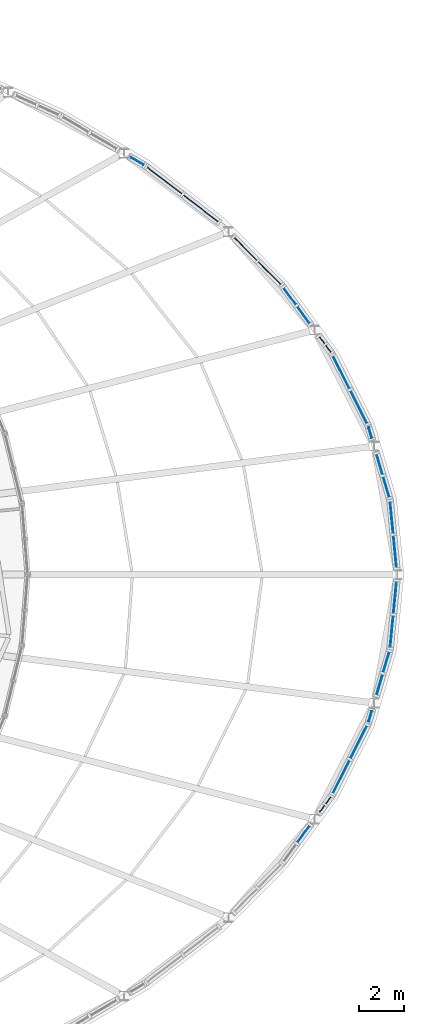
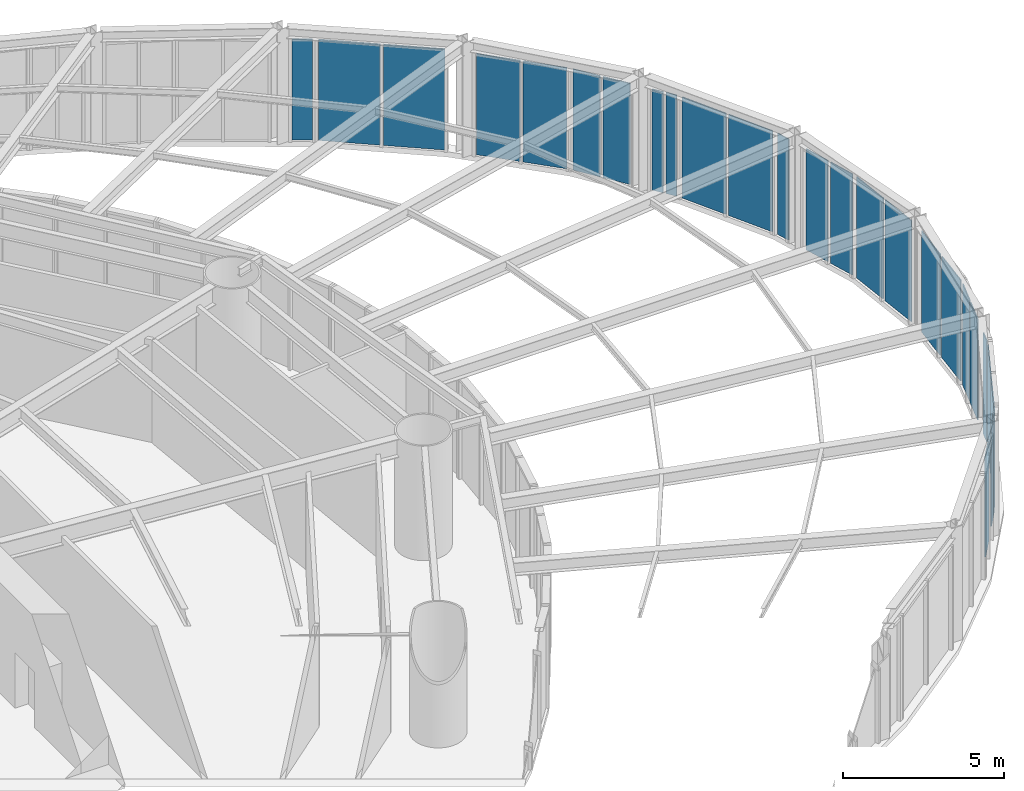
# One storey, part 17 of 23: 26 plates, 15 elements without a shape of their own.
"""IFC4 building model written with IfcOpenShell, lengths in metres."""

from ifc_helpers import new_model, si_unit, direction, frame, origin, origin_2d, place, context, subcontext, project, spatial, rectangle, extrude, material, layer, layer_set, type_object, element, aggregate, save


model = new_model("IFC4")

# Units and contexts
model_context = context("Model", 3, precision=1e-05, world=origin(), true_north=direction((0.0, 1.0)))
body_context = subcontext(model_context, "Body", "Model", "MODEL_VIEW")
ifc_project = project(units=[si_unit("LENGTHUNIT", "METRE"), si_unit("AREAUNIT", "SQUARE_METRE"), si_unit("VOLUMEUNIT", "CUBIC_METRE"), si_unit("PLANEANGLEUNIT", "RADIAN"), si_unit("MASSUNIT", "GRAM", prefix="KILO")], contexts=[model_context])

# Site, building, storey
site_placement = place(None, origin())
site = spatial("IfcSite", under=ifc_project, at=site_placement, CompositionType="ELEMENT")
building_placement = place(site_placement, origin())
building = spatial("IfcBuilding", under=site, at=building_placement, Name="Vermilion Reach Broadcast Tower", CompositionType="ELEMENT")
storey_placement = place(building_placement, frame((0.0, 0.0, 31.5)))
storey = spatial("IfcBuildingStorey", under=building, at=storey_placement, Name="L04", CompositionType="ELEMENT", Elevation=31.5)

# Curtain wall, plate
ifc_material_1 = material(Name="Low-e laminated clear glass in aluminium frame", Category="aluminium")
curtain_wall_type = type_object("IfcCurtainWallType", Name="Atrium outer wall curtain wall", PredefinedType="NOTDEFINED", material=ifc_material_1)
placement = place(storey_placement, origin())
curtain_wall_1 = element("IfcCurtainWall", 1, at=placement, inside=storey, type_object=curtain_wall_type, Name="Atrium wall L04 08-1", PredefinedType="NOTDEFINED")
ifc_material_2 = material(Name="Low-e laminated clear glass", Category="glass")
ifc_layer = layer(ifc_material_2, 0.035888671875)
ifc_layer_set = layer_set([ifc_layer], Name="Atrium outer wall glass panel")
plate_type = type_object("IfcPlateType", Name="Atrium outer wall glass panel", PredefinedType="CURTAIN_PANEL", material=ifc_layer_set)
plate_1_placement = place(storey_placement, frame((35.539794921875, -11.52294921875, 0.0), z_axis=(0.0, 0.0, 1.0), x_axis=(0.590759824697, 0.806847463604, 0.0)))
plate_1 = element("IfcPlate", 2, at=plate_1_placement, type_object=plate_type, Name="Atrium wall glass panel L04 08-1.2.1", PredefinedType="CURTAIN_PANEL", context=body_context, shape_type="SweptSolid", body=[
    extrude(rectangle(XDim=0.92578125, YDim=0.035888671875, at=origin_2d()), origin(), (0.0, 0.0, 1.0), 3.840087890625),
])
aggregate(curtain_wall_1, [plate_1])

# Curtain wall, plates
curtain_wall_2 = element("IfcCurtainWall", 3, at=placement, inside=storey, type_object=curtain_wall_type, Name="Atrium wall L04 08-2", PredefinedType="NOTDEFINED")
plate_2_placement = place(storey_placement, frame((36.36328125, -10.39794921875, 0.0), z_axis=(0.0, 0.0, 1.0), x_axis=(0.590759824697, 0.806847463604, 0.0)))
plate_2 = element("IfcPlate", 4, at=plate_2_placement, type_object=plate_type, Name="Atrium wall glass panel L04 08-2.1.1", PredefinedType="CURTAIN_PANEL", context=body_context, shape_type="SweptSolid", body=[
    extrude(rectangle(XDim=0.36669921875, YDim=0.035888671875, at=origin_2d()), origin(), (0.0, 0.0, 1.0), 3.840087890625),
])
plate_3_placement = place(storey_placement, frame((36.63916015625, -10.021240234375, 0.0), z_axis=(0.0, 0.0, 1.0), x_axis=(0.590759824697, 0.806847463604, 0.0)))
plate_3 = element("IfcPlate", 5, at=plate_3_placement, type_object=plate_type, Name="Atrium wall glass panel L04 08-2.2.1", PredefinedType="CURTAIN_PANEL", context=body_context, shape_type="SweptSolid", body=[
    extrude(rectangle(XDim=0.36669921875, YDim=0.035888671875, at=origin_2d()), origin(), (0.0, 0.0, 1.0), 3.840087890625),
])
aggregate(curtain_wall_2, [plate_2, plate_3])

curtain_wall_3 = element("IfcCurtainWall", 6, at=placement, inside=storey, type_object=curtain_wall_type, Name="Atrium wall L04 09", PredefinedType="NOTDEFINED")
plate_4_placement = place(storey_placement, frame((37.2177734375, -8.976806640625, 0.0), z_axis=(0.0, 0.0, 1.0), x_axis=(0.450071784356, 0.892992378986, 0.0)))
plate_4 = element("IfcPlate", 7, at=plate_4_placement, type_object=plate_type, Name="Atrium wall glass panel L04 09.1.1", PredefinedType="CURTAIN_PANEL", context=body_context, shape_type="SweptSolid", body=[
    extrude(rectangle(XDim=1.627197265625, YDim=0.035888671875, at=origin_2d()), origin(), (0.0, 0.0, 1.0), 3.840087890625),
])
plate_5_placement = place(storey_placement, frame((37.9951171875, -7.434326171875, 0.0), z_axis=(0.0, 0.0, 1.0), x_axis=(0.450071784356, 0.892992378986, 0.0)))
plate_5 = element("IfcPlate", 8, at=plate_5_placement, type_object=plate_type, Name="Atrium wall glass panel L04 09.2.1", PredefinedType="CURTAIN_PANEL", context=body_context, shape_type="SweptSolid", body=[
    extrude(rectangle(XDim=1.627197265625, YDim=0.035888671875, at=origin_2d()), origin(), (0.0, 0.0, 1.0), 3.840087890625),
])
aggregate(curtain_wall_3, [plate_4, plate_5])

# Curtain wall, plate
curtain_wall_4 = element("IfcCurtainWall", 9, at=placement, inside=storey, type_object=curtain_wall_type, Name="Atrium wall L04 10-1", PredefinedType="NOTDEFINED")
plate_6_placement = place(storey_placement, frame((38.5029296875, -6.291259765625, 0.0), z_axis=(0.0, 0.0, 1.0), x_axis=(0.283245086397, 0.959047559317, 0.0)))
plate_6 = element("IfcPlate", 10, at=plate_6_placement, type_object=plate_type, Name="Atrium wall glass panel L04 10-1.1.1", PredefinedType="CURTAIN_PANEL", context=body_context, shape_type="SweptSolid", body=[
    extrude(rectangle(XDim=0.48193359375, YDim=0.035888671875, at=origin_2d()), origin(), (0.0, 0.0, 1.0), 3.840087890625),
])
aggregate(curtain_wall_4, [plate_6])

# Curtain wall, plates
curtain_wall_5 = element("IfcCurtainWall", 11, at=placement, inside=storey, type_object=curtain_wall_type, Name="Atrium wall L04 10-2", PredefinedType="NOTDEFINED")
plate_7_placement = place(storey_placement, frame((38.917236328125, -4.88916015625, 0.0), z_axis=(0.0, 0.0, 1.0), x_axis=(0.283245086397, 0.959047559317, 0.0)))
plate_7 = element("IfcPlate", 12, at=plate_7_placement, type_object=plate_type, Name="Atrium wall glass panel L04 10-2.1.1", PredefinedType="CURTAIN_PANEL", context=body_context, shape_type="SweptSolid", body=[
    extrude(rectangle(XDim=0.9462890625, YDim=0.035888671875, at=origin_2d()), origin(), (0.0, 0.0, 1.0), 3.840087890625),
])
plate_8_placement = place(storey_placement, frame((39.21337890625, -3.8857421875, 0.0), z_axis=(0.0, 0.0, 1.0), x_axis=(0.283245086397, 0.959047559317, 0.0)))
plate_8 = element("IfcPlate", 13, at=plate_8_placement, type_object=plate_type, Name="Atrium wall glass panel L04 10-2.2.1", PredefinedType="CURTAIN_PANEL", context=body_context, shape_type="SweptSolid", body=[
    extrude(rectangle(XDim=0.9462890625, YDim=0.035888671875, at=origin_2d()), origin(), (0.0, 0.0, 1.0), 3.840087890625),
])
aggregate(curtain_wall_5, [plate_7, plate_8])

curtain_wall_6 = element("IfcCurtainWall", 14, at=placement, inside=storey, type_object=curtain_wall_type, Name="Atrium wall L04 11", PredefinedType="NOTDEFINED")
plate_9_placement = place(storey_placement, frame((39.4541015625, -2.530517578125, 0.0), z_axis=(0.0, 0.0, 1.0), x_axis=(0.096860665643, 0.995297951094, 0.0)))
plate_9 = element("IfcPlate", 15, at=plate_9_placement, type_object=plate_type, Name="Atrium wall glass panel L04 11.1.1", PredefinedType="CURTAIN_PANEL", context=body_context, shape_type="SweptSolid", body=[
    extrude(rectangle(XDim=1.4189453125, YDim=0.035888671875, at=origin_2d()), origin(), (0.0, 0.0, 1.0), 3.840087890625),
])
plate_10_placement = place(storey_placement, frame((39.601318359375, -1.0185546875, 0.0), z_axis=(0.0, 0.0, 1.0), x_axis=(0.096860665643, 0.995297951094, 0.0)))
plate_10 = element("IfcPlate", 16, at=plate_10_placement, type_object=plate_type, Name="Atrium wall glass panel L04 11.2.1", PredefinedType="CURTAIN_PANEL", context=body_context, shape_type="SweptSolid", body=[
    extrude(rectangle(XDim=1.4189453125, YDim=0.035888671875, at=origin_2d()), origin(), (0.0, 0.0, 1.0), 3.840087890625),
])
aggregate(curtain_wall_6, [plate_9, plate_10])

curtain_wall_7 = element("IfcCurtainWall", 17, at=placement, inside=storey, type_object=curtain_wall_type, Name="Atrium wall L04 12", PredefinedType="NOTDEFINED")
plate_11_placement = place(storey_placement, frame((39.601318359375, 1.0185546875, 0.0), z_axis=(0.0, 0.0, 1.0), x_axis=(-0.096860665643, 0.995297951094, 0.0)))
plate_11 = element("IfcPlate", 18, at=plate_11_placement, type_object=plate_type, Name="Atrium wall glass panel L04 12.1.1", PredefinedType="CURTAIN_PANEL", context=body_context, shape_type="SweptSolid", body=[
    extrude(rectangle(XDim=1.4189453125, YDim=0.035888671875, at=origin_2d()), origin(), (0.0, 0.0, 1.0), 3.840087890625),
])
plate_12_placement = place(storey_placement, frame((39.4541015625, 2.530517578125, 0.0), z_axis=(0.0, 0.0, 1.0), x_axis=(-0.096860665643, 0.995297951094, 0.0)))
plate_12 = element("IfcPlate", 19, at=plate_12_placement, type_object=plate_type, Name="Atrium wall glass panel L04 12.2.1", PredefinedType="CURTAIN_PANEL", context=body_context, shape_type="SweptSolid", body=[
    extrude(rectangle(XDim=1.4189453125, YDim=0.035888671875, at=origin_2d()), origin(), (0.0, 0.0, 1.0), 3.840087890625),
])
aggregate(curtain_wall_7, [plate_11, plate_12])

curtain_wall_8 = element("IfcCurtainWall", 20, at=placement, inside=storey, type_object=curtain_wall_type, Name="Atrium wall L04 13-1", PredefinedType="NOTDEFINED")
plate_13_placement = place(storey_placement, frame((39.21337890625, 3.8857421875, 0.0), z_axis=(0.0, 0.0, 1.0), x_axis=(-0.283245086397, 0.959047559317, 0.0)))
plate_13 = element("IfcPlate", 21, at=plate_13_placement, type_object=plate_type, Name="Atrium wall glass panel L04 13-1.1.1", PredefinedType="CURTAIN_PANEL", context=body_context, shape_type="SweptSolid", body=[
    extrude(rectangle(XDim=0.9462890625, YDim=0.035888671875, at=origin_2d()), origin(), (0.0, 0.0, 1.0), 3.840087890625),
])
plate_14_placement = place(storey_placement, frame((38.917236328125, 4.88916015625, 0.0), z_axis=(0.0, 0.0, 1.0), x_axis=(-0.283245086397, 0.959047559317, 0.0)))
plate_14 = element("IfcPlate", 22, at=plate_14_placement, type_object=plate_type, Name="Atrium wall glass panel L04 13-1.2.1", PredefinedType="CURTAIN_PANEL", context=body_context, shape_type="SweptSolid", body=[
    extrude(rectangle(XDim=0.9462890625, YDim=0.035888671875, at=origin_2d()), origin(), (0.0, 0.0, 1.0), 3.840087890625),
])
aggregate(curtain_wall_8, [plate_13, plate_14])

# Curtain wall, plate
curtain_wall_9 = element("IfcCurtainWall", 23, at=placement, inside=storey, type_object=curtain_wall_type, Name="Atrium wall L04 13-2", PredefinedType="NOTDEFINED")
plate_15_placement = place(storey_placement, frame((38.5029296875, 6.291259765625, 0.0), z_axis=(0.0, 0.0, 1.0), x_axis=(-0.283245086397, 0.959047559317, 0.0)))
plate_15 = element("IfcPlate", 24, at=plate_15_placement, type_object=plate_type, Name="Atrium wall glass panel L04 13-2.1.1", PredefinedType="CURTAIN_PANEL", context=body_context, shape_type="SweptSolid", body=[
    extrude(rectangle(XDim=0.48193359375, YDim=0.035888671875, at=origin_2d()), origin(), (0.0, 0.0, 1.0), 3.840087890625),
])
aggregate(curtain_wall_9, [plate_15])

# Curtain wall, plates
curtain_wall_10 = element("IfcCurtainWall", 25, at=placement, inside=storey, type_object=curtain_wall_type, Name="Atrium wall L04 14", PredefinedType="NOTDEFINED")
plate_16_placement = place(storey_placement, frame((37.9951171875, 7.434326171875, 0.0), z_axis=(0.0, 0.0, 1.0), x_axis=(-0.450071784356, 0.892992378986, 0.0)))
plate_16 = element("IfcPlate", 26, at=plate_16_placement, type_object=plate_type, Name="Atrium wall glass panel L04 14.1.1", PredefinedType="CURTAIN_PANEL", context=body_context, shape_type="SweptSolid", body=[
    extrude(rectangle(XDim=1.627197265625, YDim=0.035888671875, at=origin_2d()), origin(), (0.0, 0.0, 1.0), 3.840087890625),
])
plate_17_placement = place(storey_placement, frame((37.2177734375, 8.976806640625, 0.0), z_axis=(0.0, 0.0, 1.0), x_axis=(-0.450071784356, 0.892992378986, 0.0)))
plate_17 = element("IfcPlate", 27, at=plate_17_placement, type_object=plate_type, Name="Atrium wall glass panel L04 14.2.1", PredefinedType="CURTAIN_PANEL", context=body_context, shape_type="SweptSolid", body=[
    extrude(rectangle(XDim=1.627197265625, YDim=0.035888671875, at=origin_2d()), origin(), (0.0, 0.0, 1.0), 3.840087890625),
])
aggregate(curtain_wall_10, [plate_16, plate_17])

curtain_wall_11 = element("IfcCurtainWall", 28, at=placement, inside=storey, type_object=curtain_wall_type, Name="Atrium wall L04 15-1", PredefinedType="NOTDEFINED")
plate_18_placement = place(storey_placement, frame((36.63916015625, 10.021240234375, 0.0), z_axis=(0.0, 0.0, 1.0), x_axis=(-0.590759824697, 0.806847463604, 0.0)))
plate_18 = element("IfcPlate", 29, at=plate_18_placement, type_object=plate_type, Name="Atrium wall glass panel L04 15-1.1.1", PredefinedType="CURTAIN_PANEL", context=body_context, shape_type="SweptSolid", body=[
    extrude(rectangle(XDim=0.36669921875, YDim=0.035888671875, at=origin_2d()), origin(), (0.0, 0.0, 1.0), 3.840087890625),
])
plate_19_placement = place(storey_placement, frame((36.36328125, 10.39794921875, 0.0), z_axis=(0.0, 0.0, 1.0), x_axis=(-0.590759824697, 0.806847463604, 0.0)))
plate_19 = element("IfcPlate", 30, at=plate_19_placement, type_object=plate_type, Name="Atrium wall glass panel L04 15-1.2.1", PredefinedType="CURTAIN_PANEL", context=body_context, shape_type="SweptSolid", body=[
    extrude(rectangle(XDim=0.36669921875, YDim=0.035888671875, at=origin_2d()), origin(), (0.0, 0.0, 1.0), 3.840087890625),
])
aggregate(curtain_wall_11, [plate_18, plate_19])

curtain_wall_12 = element("IfcCurtainWall", 31, at=placement, inside=storey, type_object=curtain_wall_type, Name="Atrium wall L04 15-2", PredefinedType="NOTDEFINED")
plate_20_placement = place(storey_placement, frame((35.539794921875, 11.52294921875, 0.0), z_axis=(0.0, 0.0, 1.0), x_axis=(-0.590759824697, 0.806847463604, 0.0)))
plate_20 = element("IfcPlate", 32, at=plate_20_placement, type_object=plate_type, Name="Atrium wall glass panel L04 15-2.1.1", PredefinedType="CURTAIN_PANEL", context=body_context, shape_type="SweptSolid", body=[
    extrude(rectangle(XDim=0.92578125, YDim=0.035888671875, at=origin_2d()), origin(), (0.0, 0.0, 1.0), 3.840087890625),
])
plate_21_placement = place(storey_placement, frame((34.93359375, 12.3505859375, 0.0), z_axis=(0.0, 0.0, 1.0), x_axis=(-0.590759824697, 0.806847463604, 0.0)))
plate_21 = element("IfcPlate", 33, at=plate_21_placement, type_object=plate_type, Name="Atrium wall glass panel L04 15-2.2.1", PredefinedType="CURTAIN_PANEL", context=body_context, shape_type="SweptSolid", body=[
    extrude(rectangle(XDim=0.92578125, YDim=0.035888671875, at=origin_2d()), origin(), (0.0, 0.0, 1.0), 3.840087890625),
])
aggregate(curtain_wall_12, [plate_20, plate_21])

curtain_wall_13 = element("IfcCurtainWall", 34, at=placement, inside=storey, type_object=curtain_wall_type, Name="Atrium wall L04 16", PredefinedType="NOTDEFINED")
plate_22_placement = place(storey_placement, frame((34.034423828125, 13.3759765625, 0.0), z_axis=(0.0, 0.0, 1.0), x_axis=(-0.704276337997, 0.709925939614, 0.0)))
plate_22 = element("IfcPlate", 35, at=plate_22_placement, type_object=plate_type, Name="Atrium wall glass panel L04 16.1.1", PredefinedType="CURTAIN_PANEL", context=body_context, shape_type="SweptSolid", body=[
    extrude(rectangle(XDim=1.4091796875, YDim=0.035888671875, at=origin_2d()), origin(), (0.0, 0.0, 1.0), 3.840087890625),
])
plate_23_placement = place(storey_placement, frame((32.971435546875, 14.447509765625, 0.0), z_axis=(0.0, 0.0, 1.0), x_axis=(-0.704276337997, 0.709925939614, 0.0)))
plate_23 = element("IfcPlate", 36, at=plate_23_placement, type_object=plate_type, Name="Atrium wall glass panel L04 16.2.1", PredefinedType="CURTAIN_PANEL", context=body_context, shape_type="SweptSolid", body=[
    extrude(rectangle(XDim=1.4091796875, YDim=0.035888671875, at=origin_2d()), origin(), (0.0, 0.0, 1.0), 3.840087890625),
])
aggregate(curtain_wall_13, [plate_22, plate_23])

curtain_wall_14 = element("IfcCurtainWall", 37, at=placement, inside=storey, type_object=curtain_wall_type, Name="Atrium wall L04 17", PredefinedType="NOTDEFINED")
plate_24_placement = place(storey_placement, frame((30.981201171875, 16.2509765625, 0.0), z_axis=(0.0, 0.0, 1.0), x_axis=(-0.793082736826, 0.609113924113, 0.0)))
plate_24 = element("IfcPlate", 38, at=plate_24_placement, type_object=plate_type, Name="Atrium wall glass panel L04 17.1.1", PredefinedType="CURTAIN_PANEL", context=body_context, shape_type="SweptSolid", body=[
    extrude(rectangle(XDim=1.9296875, YDim=0.035888671875, at=origin_2d()), origin(), (0.0, 0.0, 1.0), 3.840087890625),
])
plate_25_placement = place(storey_placement, frame((29.37158203125, 17.4873046875, 0.0), z_axis=(0.0, 0.0, 1.0), x_axis=(-0.793082736826, 0.609113924113, 0.0)))
plate_25 = element("IfcPlate", 39, at=plate_25_placement, type_object=plate_type, Name="Atrium wall glass panel L04 17.2.1", PredefinedType="CURTAIN_PANEL", context=body_context, shape_type="SweptSolid", body=[
    extrude(rectangle(XDim=1.9296875, YDim=0.035888671875, at=origin_2d()), origin(), (0.0, 0.0, 1.0), 3.840087890625),
])
aggregate(curtain_wall_14, [plate_24, plate_25])

# Curtain wall, plate
curtain_wall_15 = element("IfcCurtainWall", 40, at=placement, inside=storey, type_object=curtain_wall_type, Name="Atrium wall L04 18-1", PredefinedType="NOTDEFINED")
plate_26_placement = place(storey_placement, frame((28.166748046875, 18.348876953125, 0.0), z_axis=(0.0, 0.0, 1.0), x_axis=(-0.861009057017, 0.508589622127, 0.0)))
plate_26 = element("IfcPlate", 41, at=plate_26_placement, type_object=plate_type, Name="Atrium wall glass panel L04 18-1.1.1", PredefinedType="CURTAIN_PANEL", context=body_context, shape_type="SweptSolid", body=[
    extrude(rectangle(XDim=0.636474609375, YDim=0.035888671875, at=origin_2d()), origin(), (0.0, 0.0, 1.0), 3.840087890625),
])
aggregate(curtain_wall_15, [plate_26])

save(model, "model.ifc")
